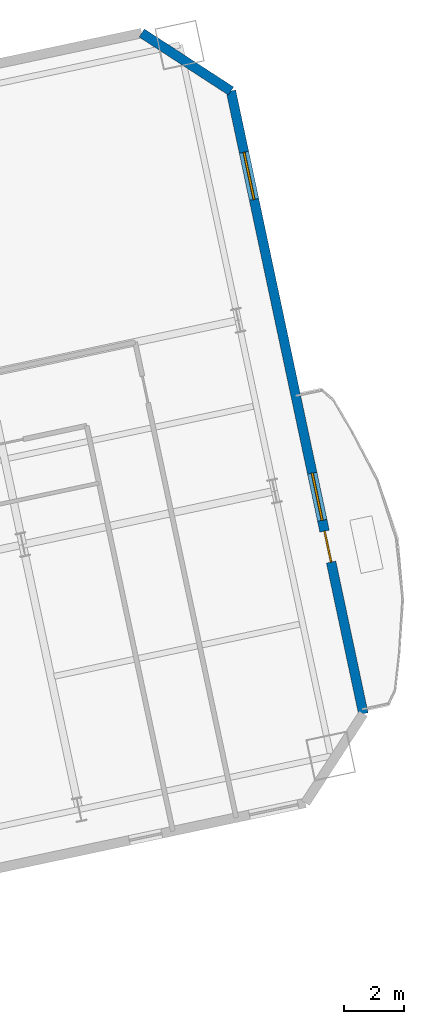
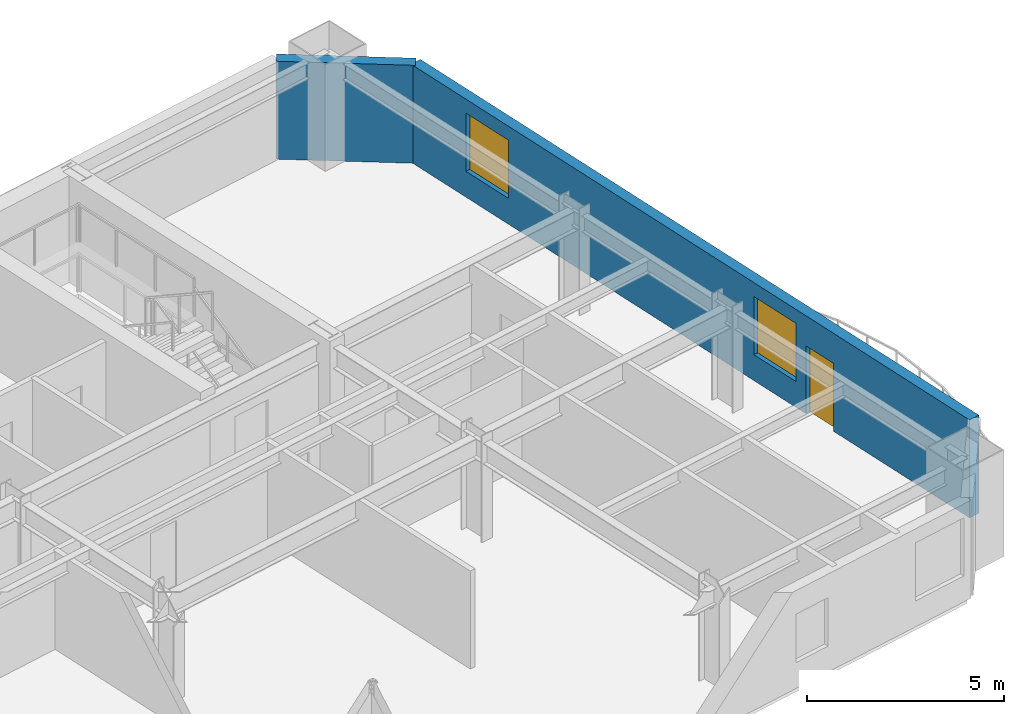
# One storey, part 9 of 14: 2 walls, 2 windows, 1 door, 3 openings.
"""IFC4 building model written with IfcOpenShell, lengths in metres."""

from ifc_helpers import new_model, si_unit, direction, frame, frame_2d, origin, place, context, subcontext, project, spatial, rectangle, extrude, material, layer, layer_set, type_object, element, fill, save


model = new_model("IFC4")

# Units and contexts
model_context = context("Model", 3, precision=1e-05, world=origin(), true_north=direction((0.0, 1.0)))
body_context = subcontext(model_context, "Body", "Model", "MODEL_VIEW")
ifc_project = project(units=[si_unit("LENGTHUNIT", "METRE"), si_unit("AREAUNIT", "SQUARE_METRE"), si_unit("VOLUMEUNIT", "CUBIC_METRE"), si_unit("PLANEANGLEUNIT", "RADIAN"), si_unit("MASSUNIT", "GRAM", prefix="KILO")], contexts=[model_context])

# Site, building, storey
site_placement = place(None, origin())
site = spatial("IfcSite", under=ifc_project, at=site_placement, CompositionType="ELEMENT")
building_placement = place(site_placement, origin())
building = spatial("IfcBuilding", under=site, at=building_placement, Name="Haevon Station Towers", CompositionType="ELEMENT")
storey_placement = place(building_placement, frame((0.0, 0.0, 106.5)))
storey = spatial("IfcBuildingStorey", under=building, at=storey_placement, Name="L28", CompositionType="ELEMENT", Elevation=106.5)

# Wall
ifc_material_1 = material(Name="Precast concrete C45/55", Category="concrete")
ifc_layer = layer(ifc_material_1, 0.320068359375)
ifc_layer_set = layer_set([ifc_layer], Name="Precast concrete C45/55")
wall_type = type_object("IfcWallType", Name="WL-EXT-PIER320", PredefinedType="SOLIDWALL", material=ifc_layer_set)
wall_1_placement = place(storey_placement, frame((124.45263671875, 53.128662109375, 0.0), z_axis=(0.0, 0.0, 1.0), x_axis=(0.838640767148, -0.544684921471, 0.0)))
element("IfcWall", 1, at=wall_1_placement, inside=storey, type_object=wall_type, Name="WL-T2-L28-NEC", PredefinedType="SOLIDWALL", context=body_context, shape_type="SweptSolid", body=[
    extrude(rectangle(XDim=3.53564453125, YDim=0.320068359375, at=frame_2d((1.767822265625, 0.0))), origin(), (0.0, 0.0, 1.0), 3.030029296875),
])

# Wall, openings, door, windows
wall_2_placement = place(storey_placement, frame((127.417724609375, 51.202880859375, 0.0), z_axis=(0.0, 0.0, 1.0), x_axis=(0.207918258146, -0.978146204782, 0.0)))
wall_2 = element("IfcWall", 2, at=wall_2_placement, inside=storey, type_object=wall_type, Name="WL-T2-L28-E", PredefinedType="SOLIDWALL", context=body_context, shape_type="SweptSolid", body=[
    extrude(rectangle(XDim=21.14990234375, YDim=0.320068359375, at=frame_2d((10.574951171875, 0.0))), origin(), (0.0, 0.0, 1.0), 3.030029296875),
])
opening_1_placement = place(wall_2_placement, frame((14.949951171875, 0.0, 0.0)))
opening_1 = element("IfcOpeningElement", 3, at=opening_1_placement, cuts=wall_2, Name="Opening DR-T2-SCAL-L28-E", PredefinedType="OPENING", context=body_context, shape_type="SweptSolid", body=[
    extrude(rectangle(XDim=1.050048828125, YDim=2.10009765625, at=frame_2d((0.52490234375, 1.050048828125))), frame((0.0, 0.169921875, 0.0), z_axis=(0.0, -1.0, 0.0), x_axis=(1.0, 0.0, 0.0)), (0.0, 0.0, 1.0), 0.340087890625),
])
opening_2_placement = place(wall_2_placement, frame((2.08203125, 0.0, 0.800048828125)))
opening_2 = element("IfcOpeningElement", 4, at=opening_2_placement, cuts=wall_2, Name="Opening WN-END160", PredefinedType="OPENING", context=body_context, shape_type="SweptSolid", body=[
    extrude(rectangle(XDim=1.60009765625, YDim=1.800048828125, at=frame_2d((0.800048828125, 0.89990234375))), frame((0.0, 0.169921875, 0.0), z_axis=(0.0, -1.0, 0.0), x_axis=(1.0, 0.0, 0.0)), (0.0, 0.0, 1.0), 0.340087890625),
])
opening_3_placement = place(wall_2_placement, frame((12.98046875, 0.0, 0.800048828125)))
opening_3 = element("IfcOpeningElement", 5, at=opening_3_placement, cuts=wall_2, Name="Opening WN-END160", PredefinedType="OPENING", context=body_context, shape_type="SweptSolid", body=[
    extrude(rectangle(XDim=1.60009765625, YDim=1.800048828125, at=frame_2d((0.800048828125, 0.89990234375))), frame((0.0, 0.169921875, 0.0), z_axis=(0.0, -1.0, 0.0), x_axis=(1.0, 0.0, 0.0)), (0.0, 0.0, 1.0), 0.340087890625),
])
ifc_material_2 = material(Name="Thermally broken anodised aluminium and laminated safety glass", Category="aluminium")
door_type = type_object("IfcDoorType", Name="DR-BALC-1050", OperationType="NOTDEFINED", PredefinedType="DOOR", material=ifc_material_2)
door_placement = place(opening_1_placement, origin())
door = element("IfcDoor", 6, at=door_placement, inside=storey, type_object=door_type, Name="Tower 2 L28 East Scalloped Balcony Door", OperationType="SINGLE_SWING_LEFT", OverallHeight=2.10009765625, OverallWidth=1.050048828125, PredefinedType="DOOR", context=body_context, shape_type="SweptSolid", body=[
    extrude(rectangle(XDim=1.050048828125, YDim=2.10009765625, at=frame_2d((0.52490234375, 1.050048828125))), frame((0.0, 0.02490234375, 0.0), z_axis=(0.0, -1.0, 0.0), x_axis=(1.0, 0.0, 0.0)), (0.0, 0.0, 1.0), 0.050048828125),
])
fill(opening_1, door)
ifc_material_3 = material(Name="Low-E triple glazing in thermally broken aluminium", Category="aluminium")
window_type = type_object("IfcWindowType", Name="WN-END160", PartitioningType="SINGLE_PANEL", PredefinedType="WINDOW", material=ifc_material_3)
window_1_placement = place(opening_2_placement, origin())
window_1 = element("IfcWindow", 7, at=window_1_placement, inside=storey, type_object=window_type, Name="WN-T2-L28-E01", OverallHeight=1.800048828125, OverallWidth=1.60009765625, PartitioningType="SINGLE_PANEL", PredefinedType="WINDOW", context=body_context, shape_type="SweptSolid", body=[
    extrude(rectangle(XDim=1.60009765625, YDim=1.800048828125, at=frame_2d((0.800048828125, 0.89990234375))), frame((0.0, 0.030029296875, 0.0), z_axis=(0.0, -1.0, 0.0), x_axis=(1.0, 0.0, 0.0)), (0.0, 0.0, 1.0), 0.06005859375),
])
fill(opening_2, window_1)
window_2_placement = place(opening_3_placement, origin())
window_2 = element("IfcWindow", 8, at=window_2_placement, inside=storey, type_object=window_type, Name="WN-T2-L28-E02", OverallHeight=1.800048828125, OverallWidth=1.60009765625, PartitioningType="SINGLE_PANEL", PredefinedType="WINDOW", context=body_context, shape_type="SweptSolid", body=[
    extrude(rectangle(XDim=1.60009765625, YDim=1.800048828125, at=frame_2d((0.800048828125, 0.89990234375))), frame((0.0, 0.030029296875, 0.0), z_axis=(0.0, -1.0, 0.0), x_axis=(1.0, 0.0, 0.0)), (0.0, 0.0, 1.0), 0.06005859375),
])
fill(opening_3, window_2)

save(model, "model.ifc")
